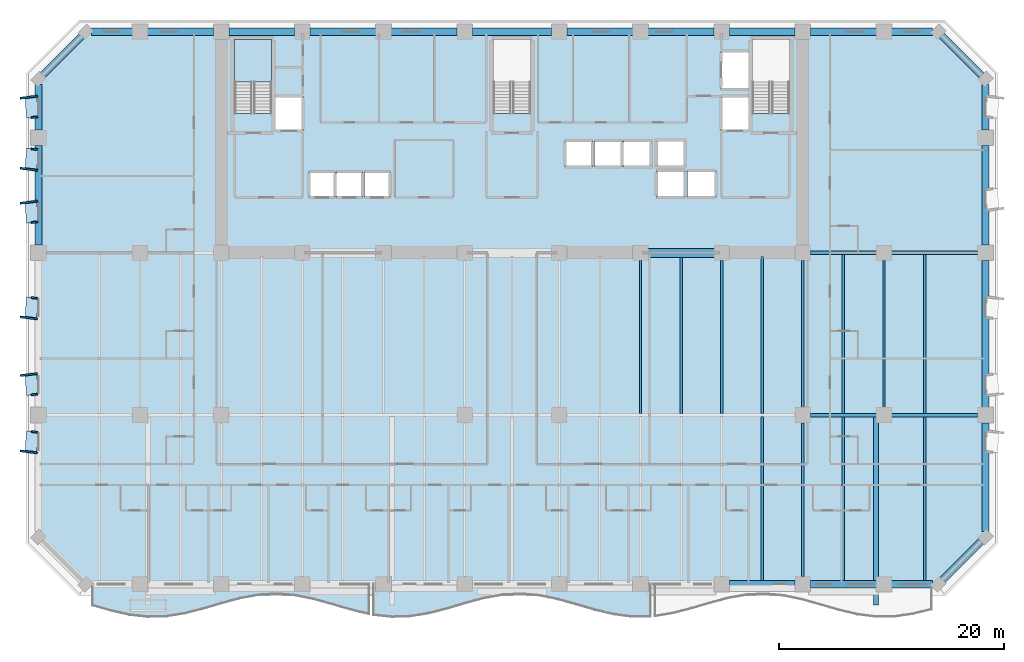
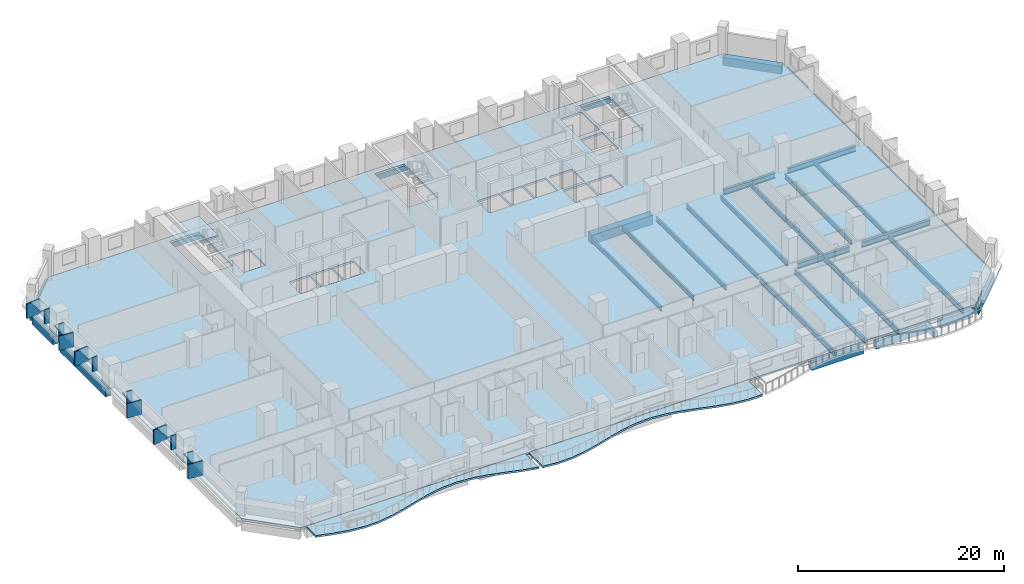
# One storey, part 2 of 16: 41 beams, 18 plates, 4 slabs, 1 element without a shape of its own.
"""IFC4 building model written with IfcOpenShell, lengths in metres."""

from ifc_helpers import new_model, si_unit, direction, frame, origin, origin_2d, place, context, subcontext, project, spatial, polyline, rectangle, i_section, outline, extrude, material, layer, layer_set, material_profile, profile_set, type_object, element, aggregate, save


model = new_model("IFC4")

# Units and contexts
model_context = context("Model", 3, precision=1e-05, world=origin(), true_north=direction((0.0, 1.0)))
body_context = subcontext(model_context, "Body", "Model", "MODEL_VIEW")
ifc_project = project(units=[si_unit("LENGTHUNIT", "METRE"), si_unit("AREAUNIT", "SQUARE_METRE"), si_unit("VOLUMEUNIT", "CUBIC_METRE"), si_unit("PLANEANGLEUNIT", "RADIAN"), si_unit("MASSUNIT", "GRAM", prefix="KILO")], contexts=[model_context])

# Site, building, storey
site_placement = place(None, origin())
site = spatial("IfcSite", under=ifc_project, at=site_placement, CompositionType="ELEMENT")
building_placement = place(site_placement, origin())
building = spatial("IfcBuilding", under=site, at=building_placement, Name="Kaelvorn Grand Hotel", CompositionType="ELEMENT")
storey_placement = place(building_placement, frame((0.0, 0.0, 35.14990234375)))
storey = spatial("IfcBuildingStorey", under=building, at=storey_placement, Name="L06", CompositionType="ELEMENT", Elevation=35.14990234375)

# Beams
ifc_material_1 = material(Name="Steel S355", Category="steel")
ifc_material_profile_1 = material_profile(ifc_material_1, i_section(OverallWidth=0.300048828125, OverallDepth=0.64990234375, WebThickness=0.01611328125, FlangeThickness=0.031005859375, FilletRadius=0.027099609375, at=origin_2d()), Name="HEB 650")
ifc_profile_set_1 = profile_set([ifc_material_profile_1], Name="Steel S355")
beam_type_1 = type_object("IfcBeamType", Name="BM-G-HEB650-S355", PredefinedType="BEAM", material=ifc_profile_set_1)
beam_1_placement = place(storey_placement, frame((68.485107421875, 15.0, -0.56494140625), z_axis=(1.0, 0.0, 0.0), x_axis=(0.0, 1.0, 0.0)))
element("IfcBeam", 1, at=beam_1_placement, inside=storey, type_object=beam_type_1, Name="L06 Primary Spine Steel Girder G-15 06", PredefinedType="BEAM", context=body_context, shape_type="SweptSolid", body=[
    extrude(i_section(OverallWidth=0.300048828125, OverallDepth=0.64990234375, WebThickness=0.01611328125, FlangeThickness=0.031005859375, FilletRadius=0.027099609375, at=origin_2d()), origin(), (0.0, 0.0, 1.0), 5.829833984375),
])
beam_2_placement = place(storey_placement, frame((75.68505859375, 15.0, -0.56494140625), z_axis=(1.0, 0.0, 0.0), x_axis=(0.0, 1.0, 0.0)))
element("IfcBeam", 2, at=beam_2_placement, inside=storey, type_object=beam_type_1, Name="L06 Primary Spine Steel Girder G-15 07", PredefinedType="BEAM", context=body_context, shape_type="SweptSolid", body=[
    extrude(i_section(OverallWidth=0.300048828125, OverallDepth=0.64990234375, WebThickness=0.01611328125, FlangeThickness=0.031005859375, FilletRadius=0.027099609375, at=origin_2d()), origin(), (0.0, 0.0, 1.0), 7.6298828125),
])
beam_3_placement = place(storey_placement, frame((68.485107421875, 29.39990234375, -0.56494140625), z_axis=(1.0, 0.0, 0.0), x_axis=(0.0, 1.0, 0.0)))
element("IfcBeam", 3, at=beam_3_placement, inside=storey, type_object=beam_type_1, Name="L06 East Core Wing Steel Girder G-29E 01", PredefinedType="BEAM", context=body_context, shape_type="SweptSolid", body=[
    extrude(i_section(OverallWidth=0.300048828125, OverallDepth=0.64990234375, WebThickness=0.01611328125, FlangeThickness=0.031005859375, FilletRadius=0.027099609375, at=origin_2d()), origin(), (0.0, 0.0, 1.0), 5.829833984375),
])
beam_4_placement = place(storey_placement, frame((75.68505859375, 29.39990234375, -0.56494140625), z_axis=(1.0, 0.0, 0.0), x_axis=(0.0, 1.0, 0.0)))
element("IfcBeam", 4, at=beam_4_placement, inside=storey, type_object=beam_type_1, Name="L06 East Core Wing Steel Girder G-29E 02", PredefinedType="BEAM", context=body_context, shape_type="SweptSolid", body=[
    extrude(i_section(OverallWidth=0.300048828125, OverallDepth=0.64990234375, WebThickness=0.01611328125, FlangeThickness=0.031005859375, FilletRadius=0.027099609375, at=origin_2d()), origin(), (0.0, 0.0, 1.0), 7.6298828125),
])
ifc_material_profile_2 = material_profile(ifc_material_1, i_section(OverallWidth=0.209228515625, OverallDepth=0.533203125, WebThickness=0.010009765625, FlangeThickness=0.015625, FilletRadius=0.0126953125, at=origin_2d()), Name="UB 533x210x92")
ifc_profile_set_2 = profile_set([ifc_material_profile_2], Name="Steel S355")
beam_type_2 = type_object("IfcBeamType", Name="BM-J-UB533-S355", PredefinedType="JOIST", material=ifc_profile_set_2)
beam_5_placement = place(storey_placement, frame((53.39990234375, 15.135009765625, -0.50634765625), z_axis=(0.0, 1.0, 0.0), x_axis=(-1.0, 0.0, 0.0)))
element("IfcBeam", 5, at=beam_5_placement, inside=storey, type_object=beam_type_2, Name="L06 Composite Floor Joist JM-15", PredefinedType="JOIST", context=body_context, shape_type="SweptSolid", body=[
    extrude(i_section(OverallWidth=0.209228515625, OverallDepth=0.533203125, WebThickness=0.010009765625, FlangeThickness=0.015625, FilletRadius=0.0126953125, at=origin_2d()), origin(), (0.0, 0.0, 1.0), 13.580078125),
])
beam_6_placement = place(storey_placement, frame((57.0, 15.135009765625, -0.50634765625), z_axis=(0.0, 1.0, 0.0), x_axis=(-1.0, 0.0, 0.0)))
element("IfcBeam", 6, at=beam_6_placement, inside=storey, type_object=beam_type_2, Name="L06 Composite Floor Joist JM-16", PredefinedType="JOIST", context=body_context, shape_type="SweptSolid", body=[
    extrude(i_section(OverallWidth=0.209228515625, OverallDepth=0.533203125, WebThickness=0.010009765625, FlangeThickness=0.015625, FilletRadius=0.0126953125, at=origin_2d()), origin(), (0.0, 0.0, 1.0), 13.925048828125),
])
beam_7_placement = place(storey_placement, frame((60.60009765625, 15.135009765625, -0.50634765625), z_axis=(0.0, 1.0, 0.0), x_axis=(-1.0, 0.0, 0.0)))
element("IfcBeam", 7, at=beam_7_placement, inside=storey, type_object=beam_type_2, Name="L06 Composite Floor Joist JM-17", PredefinedType="JOIST", context=body_context, shape_type="SweptSolid", body=[
    extrude(i_section(OverallWidth=0.209228515625, OverallDepth=0.533203125, WebThickness=0.010009765625, FlangeThickness=0.015625, FilletRadius=0.0126953125, at=origin_2d()), origin(), (0.0, 0.0, 1.0), 13.580078125),
])
beam_8_placement = place(storey_placement, frame((64.199951171875, 15.135009765625, -0.50634765625), z_axis=(0.0, 1.0, 0.0), x_axis=(-1.0, 0.0, 0.0)))
element("IfcBeam", 8, at=beam_8_placement, inside=storey, type_object=beam_type_2, Name="L06 Composite Floor Joist JM-18", PredefinedType="JOIST", context=body_context, shape_type="SweptSolid", body=[
    extrude(i_section(OverallWidth=0.209228515625, OverallDepth=0.533203125, WebThickness=0.010009765625, FlangeThickness=0.015625, FilletRadius=0.0126953125, at=origin_2d()), origin(), (0.0, 0.0, 1.0), 13.925048828125),
])
beam_9_placement = place(storey_placement, frame((67.800048828125, 15.68505859375, -0.50634765625), z_axis=(0.0, 1.0, 0.0), x_axis=(-1.0, 0.0, 0.0)))
element("IfcBeam", 9, at=beam_9_placement, inside=storey, type_object=beam_type_2, Name="L06 Composite Floor Joist JM-19", PredefinedType="JOIST", context=body_context, shape_type="SweptSolid", body=[
    extrude(i_section(OverallWidth=0.209228515625, OverallDepth=0.533203125, WebThickness=0.010009765625, FlangeThickness=0.015625, FilletRadius=0.0126953125, at=origin_2d()), origin(), (0.0, 0.0, 1.0), 13.030029296875),
])
beam_10_placement = place(storey_placement, frame((71.39990234375, 15.135009765625, -0.50634765625), z_axis=(0.0, 1.0, 0.0), x_axis=(-1.0, 0.0, 0.0)))
element("IfcBeam", 10, at=beam_10_placement, inside=storey, type_object=beam_type_2, Name="L06 Composite Floor Joist JM-20", PredefinedType="JOIST", context=body_context, shape_type="SweptSolid", body=[
    extrude(i_section(OverallWidth=0.209228515625, OverallDepth=0.533203125, WebThickness=0.010009765625, FlangeThickness=0.015625, FilletRadius=0.0126953125, at=origin_2d()), origin(), (0.0, 0.0, 1.0), 14.1298828125),
])
beam_11_placement = place(storey_placement, frame((75.0, 15.68505859375, -0.50634765625), z_axis=(0.0, 1.0, 0.0), x_axis=(-1.0, 0.0, 0.0)))
element("IfcBeam", 11, at=beam_11_placement, inside=storey, type_object=beam_type_2, Name="L06 Composite Floor Joist JM-21", PredefinedType="JOIST", context=body_context, shape_type="SweptSolid", body=[
    extrude(i_section(OverallWidth=0.209228515625, OverallDepth=0.533203125, WebThickness=0.010009765625, FlangeThickness=0.015625, FilletRadius=0.0126953125, at=origin_2d()), origin(), (0.0, 0.0, 1.0), 13.030029296875),
])
beam_12_placement = place(storey_placement, frame((78.60009765625, 15.135009765625, -0.50634765625), z_axis=(0.0, 1.0, 0.0), x_axis=(-1.0, 0.0, 0.0)))
element("IfcBeam", 12, at=beam_12_placement, inside=storey, type_object=beam_type_2, Name="L06 Composite Floor Joist JM-22", PredefinedType="JOIST", context=body_context, shape_type="SweptSolid", body=[
    extrude(i_section(OverallWidth=0.209228515625, OverallDepth=0.533203125, WebThickness=0.010009765625, FlangeThickness=0.015625, FilletRadius=0.0126953125, at=origin_2d()), origin(), (0.0, 0.0, 1.0), 14.1298828125),
])
ifc_material_profile_3 = material_profile(ifc_material_1, i_section(OverallWidth=0.22900390625, OverallDepth=0.6123046875, WebThickness=0.011962890625, FlangeThickness=0.01953125, FilletRadius=0.0126953125, at=origin_2d()), Name="UB 610x229x125")
ifc_profile_set_3 = profile_set([ifc_material_profile_3], Name="Steel S355")
beam_type_3 = type_object("IfcBeamType", Name="BM-J-UB610-S355", PredefinedType="JOIST", material=ifc_profile_set_3)
beam_13_placement = place(storey_placement, frame((64.199951171875, 0.31005859375, -0.5458984375), z_axis=(0.0, 1.0, 0.0), x_axis=(-1.0, 0.0, 0.0)))
element("IfcBeam", 13, at=beam_13_placement, inside=storey, type_object=beam_type_3, Name="L06 Composite Floor Joist JS-18", PredefinedType="JOIST", context=body_context, shape_type="SweptSolid", body=[
    extrude(i_section(OverallWidth=0.22900390625, OverallDepth=0.6123046875, WebThickness=0.011962890625, FlangeThickness=0.01953125, FilletRadius=0.0126953125, at=origin_2d()), origin(), (0.0, 0.0, 1.0), 14.554931640625),
])
beam_14_placement = place(storey_placement, frame((67.800048828125, 0.68505859375, -0.5458984375), z_axis=(0.0, 1.0, 0.0), x_axis=(-1.0, 0.0, 0.0)))
element("IfcBeam", 14, at=beam_14_placement, inside=storey, type_object=beam_type_3, Name="L06 Composite Floor Joist JS-19", PredefinedType="JOIST", context=body_context, shape_type="SweptSolid", body=[
    extrude(i_section(OverallWidth=0.22900390625, OverallDepth=0.6123046875, WebThickness=0.011962890625, FlangeThickness=0.01953125, FilletRadius=0.0126953125, at=origin_2d()), origin(), (0.0, 0.0, 1.0), 13.6298828125),
])
for number, where, z_axis, x_axis, name in (
    (15, (71.39990234375, 0.31005859375, -0.5458984375), (0.0, 1.0, 0.0), (-1.0, 0.0, 0.0), "L06 Composite Floor Joist JS-20"),
    (16, (78.60009765625, 0.31005859375, -0.5458984375), (0.0, 1.0, 0.0), (-1.0, 0.0, 0.0), "L06 Composite Floor Joist JS-22"),
):
    element("IfcBeam", number, at=place(storey_placement, frame(where, z_axis=z_axis, x_axis=x_axis)), inside=storey, type_object=beam_type_3, Name=name, PredefinedType="JOIST", context=body_context, shape_type="SweptSolid", body=[
        extrude(i_section(OverallWidth=0.22900390625, OverallDepth=0.6123046875, WebThickness=0.011962890625, FlangeThickness=0.01953125, FilletRadius=0.0126953125, at=origin_2d()), origin(), (0.0, 0.0, 1.0), 14.554931640625),
    ])
ifc_material_2 = material(Name="Concrete C60/75", Category="concrete")
ifc_material_profile_4 = material_profile(ifc_material_2, rectangle(XDim=0.800048828125, YDim=1.10009765625, at=origin_2d()), Name="RC LINTEL 800x1100")
ifc_profile_set_4 = profile_set([ifc_material_profile_4], Name="Concrete C60/75")
beam_type_4 = type_object("IfcBeamType", Name="BM-LIN-800x1100-C60", PredefinedType="LINTEL", material=ifc_profile_set_4)
beam_15_placement = place(storey_placement, frame((53.580078125, 29.39990234375, -0.789794921875), z_axis=(1.0, 0.0, 0.0), x_axis=(0.0, 1.0, 0.0)))
element("IfcBeam", 17, at=beam_15_placement, inside=storey, type_object=beam_type_4, Name="L06 Rear-Core Coupling Lintel Beam CB1-03", PredefinedType="LINTEL", context=body_context, shape_type="SweptSolid", body=[
    extrude(rectangle(XDim=0.800048828125, YDim=1.10009765625, at=origin_2d()), origin(), (0.0, 0.0, 1.0), 6.83984375),
])
ifc_material_3 = material(Name="Concrete C40/50", Category="concrete")
ifc_material_profile_5 = material_profile(ifc_material_3, rectangle(XDim=0.449951171875, YDim=0.64990234375, at=origin_2d()), Name="RC RIB 450x650")
ifc_profile_set_5 = profile_set([ifc_material_profile_5], Name="Concrete C40/50")
beam_type_5 = type_object("IfcBeamType", Name="BM-RIB-450x650-C40", PredefinedType="SPANDREL", material=ifc_profile_set_5)
beam_16_placement = place(storey_placement, frame((74.293212890625, -1.85009765625, -0.544921875), z_axis=(0.0, 1.0, 0.0), x_axis=(-1.0, 0.0, 0.0)))
element("IfcBeam", 18, at=beam_16_placement, inside=storey, type_object=beam_type_5, Name="L06 Cantilevered Balcony Back-Span Rib RB1-3", PredefinedType="SPANDREL", context=body_context, shape_type="SweptSolid", body=[
    extrude(rectangle(XDim=0.449951171875, YDim=0.64990234375, at=origin_2d()), origin(), (0.0, 0.0, 1.0), 16.715087890625),
])
ifc_material_profile_6 = material_profile(ifc_material_2, rectangle(XDim=0.64990234375, YDim=0.949951171875, at=origin_2d()), Name="RC SPANDREL 650x950")
ifc_profile_set_6 = profile_set([ifc_material_profile_6], Name="Concrete C60/75")
beam_type_6 = type_object("IfcBeamType", Name="BM-SP-650x950-C60", PredefinedType="SPANDREL", material=ifc_profile_set_6)
beam_17_placement = place(storey_placement, frame((61.284912109375, 0.0, -0.71484375), z_axis=(1.0, 0.0, 0.0), x_axis=(0.0, 1.0, 0.0)))
element("IfcBeam", 19, at=beam_17_placement, inside=storey, type_object=beam_type_6, Name="L06 South Perimeter Spandrel 09", PredefinedType="SPANDREL", context=body_context, shape_type="SweptSolid", body=[
    extrude(rectangle(XDim=0.64990234375, YDim=0.949951171875, at=origin_2d()), origin(), (0.0, 0.0, 1.0), 5.830078125),
])
beam_18_placement = place(storey_placement, frame((68.485107421875, 0.0, -0.71484375), z_axis=(1.0, 0.0, 0.0), x_axis=(0.0, 1.0, 0.0)))
element("IfcBeam", 20, at=beam_18_placement, inside=storey, type_object=beam_type_6, Name="L06 South Perimeter Spandrel 10", PredefinedType="SPANDREL", context=body_context, shape_type="SweptSolid", body=[
    extrude(rectangle(XDim=0.64990234375, YDim=0.949951171875, at=origin_2d()), origin(), (0.0, 0.0, 1.0), 5.829833984375),
])
for number, where, z_axis, x_axis, name in (
    (21, (75.68505859375, 0.0, -0.71484375), (1.0, 0.0, 0.0), (0.0, 1.0, 0.0), "L06 South Perimeter Spandrel 11"),
    (22, (4.68505859375, 49.0, -0.71484375), (1.0, 0.0, 0.0), (0.0, 1.0, 0.0), "L06 North Perimeter Spandrel 01"),
):
    element("IfcBeam", number, at=place(storey_placement, frame(where, z_axis=z_axis, x_axis=x_axis)), inside=storey, type_object=beam_type_6, Name=name, PredefinedType="SPANDREL", context=body_context, shape_type="SweptSolid", body=[
        extrude(rectangle(XDim=0.64990234375, YDim=0.949951171875, at=origin_2d()), origin(), (0.0, 0.0, 1.0), 3.6298828125),
    ])
beam_19_placement = place(storey_placement, frame((9.68505859375, 49.0, -0.71484375), z_axis=(1.0, 0.0, 0.0), x_axis=(0.0, 1.0, 0.0)))
element("IfcBeam", 23, at=beam_19_placement, inside=storey, type_object=beam_type_6, Name="L06 North Perimeter Spandrel 02", PredefinedType="SPANDREL", context=body_context, shape_type="SweptSolid", body=[
    extrude(rectangle(XDim=0.64990234375, YDim=0.949951171875, at=origin_2d()), origin(), (0.0, 0.0, 1.0), 5.829833984375),
])
for number, where, z_axis, x_axis, name in (
    (24, (16.885009765625, 49.0, -0.71484375), (1.0, 0.0, 0.0), (0.0, 1.0, 0.0), "L06 North Perimeter Spandrel 03"),
    (25, (24.0849609375, 49.0, -0.71484375), (1.0, 0.0, 0.0), (0.0, 1.0, 0.0), "L06 North Perimeter Spandrel 04"),
    (26, (31.284912109375, 49.0, -0.71484375), (1.0, 0.0, 0.0), (0.0, 1.0, 0.0), "L06 North Perimeter Spandrel 05"),
):
    element("IfcBeam", number, at=place(storey_placement, frame(where, z_axis=z_axis, x_axis=x_axis)), inside=storey, type_object=beam_type_6, Name=name, PredefinedType="SPANDREL", context=body_context, shape_type="SweptSolid", body=[
        extrude(rectangle(XDim=0.64990234375, YDim=0.949951171875, at=origin_2d()), origin(), (0.0, 0.0, 1.0), 5.830078125),
    ])
beam_20_placement = place(storey_placement, frame((38.485107421875, 49.0, -0.71484375), z_axis=(1.0, 0.0, 0.0), x_axis=(0.0, 1.0, 0.0)))
element("IfcBeam", 27, at=beam_20_placement, inside=storey, type_object=beam_type_6, Name="L06 North Perimeter Spandrel 06", PredefinedType="SPANDREL", context=body_context, shape_type="SweptSolid", body=[
    extrude(rectangle(XDim=0.64990234375, YDim=0.949951171875, at=origin_2d()), origin(), (0.0, 0.0, 1.0), 7.02978515625),
])
for number, where, z_axis, x_axis, name in (
    (28, (46.885009765625, 49.0, -0.71484375), (1.0, 0.0, 0.0), (0.0, 1.0, 0.0), "L06 North Perimeter Spandrel 07"),
    (29, (54.0849609375, 49.0, -0.71484375), (1.0, 0.0, 0.0), (0.0, 1.0, 0.0), "L06 North Perimeter Spandrel 08"),
    (30, (61.284912109375, 49.0, -0.71484375), (1.0, 0.0, 0.0), (0.0, 1.0, 0.0), "L06 North Perimeter Spandrel 09"),
):
    element("IfcBeam", number, at=place(storey_placement, frame(where, z_axis=z_axis, x_axis=x_axis)), inside=storey, type_object=beam_type_6, Name=name, PredefinedType="SPANDREL", context=body_context, shape_type="SweptSolid", body=[
        extrude(rectangle(XDim=0.64990234375, YDim=0.949951171875, at=origin_2d()), origin(), (0.0, 0.0, 1.0), 5.830078125),
    ])
beam_21_placement = place(storey_placement, frame((68.485107421875, 49.0, -0.71484375), z_axis=(1.0, 0.0, 0.0), x_axis=(0.0, 1.0, 0.0)))
element("IfcBeam", 31, at=beam_21_placement, inside=storey, type_object=beam_type_6, Name="L06 North Perimeter Spandrel 10", PredefinedType="SPANDREL", context=body_context, shape_type="SweptSolid", body=[
    extrude(rectangle(XDim=0.64990234375, YDim=0.949951171875, at=origin_2d()), origin(), (0.0, 0.0, 1.0), 5.829833984375),
])
beam_22_placement = place(storey_placement, frame((75.68505859375, 49.0, -0.71484375), z_axis=(1.0, 0.0, 0.0), x_axis=(0.0, 1.0, 0.0)))
element("IfcBeam", 32, at=beam_22_placement, inside=storey, type_object=beam_type_6, Name="L06 North Perimeter Spandrel 11", PredefinedType="SPANDREL", context=body_context, shape_type="SweptSolid", body=[
    extrude(rectangle(XDim=0.64990234375, YDim=0.949951171875, at=origin_2d()), origin(), (0.0, 0.0, 1.0), 3.6298828125),
])
beam_23_placement = place(storey_placement, frame((0.0, 30.0849609375, -0.71484375), z_axis=(0.0, 1.0, 0.0), x_axis=(-1.0, 0.0, 0.0)))
element("IfcBeam", 33, at=beam_23_placement, inside=storey, type_object=beam_type_6, Name="L06 West Perimeter Spandrel 03", PredefinedType="SPANDREL", context=body_context, shape_type="SweptSolid", body=[
    extrude(rectangle(XDim=0.64990234375, YDim=0.949951171875, at=origin_2d()), origin(), (0.0, 0.0, 1.0), 8.830078125),
])
beam_24_placement = place(storey_placement, frame((0.0, 40.284912109375, -0.71484375), z_axis=(0.0, 1.0, 0.0), x_axis=(-1.0, 0.0, 0.0)))
element("IfcBeam", 34, at=beam_24_placement, inside=storey, type_object=beam_type_6, Name="L06 West Perimeter Spandrel 04", PredefinedType="SPANDREL", context=body_context, shape_type="SweptSolid", body=[
    extrude(rectangle(XDim=0.64990234375, YDim=0.949951171875, at=origin_2d()), origin(), (0.0, 0.0, 1.0), 4.030029296875),
])
beam_25_placement = place(storey_placement, frame((84.0, 4.68505859375, -0.71484375), z_axis=(0.0, 1.0, 0.0), x_axis=(-1.0, 0.0, 0.0)))
element("IfcBeam", 35, at=beam_25_placement, inside=storey, type_object=beam_type_6, Name="L06 East Perimeter Spandrel 01", PredefinedType="SPANDREL", context=body_context, shape_type="SweptSolid", body=[
    extrude(rectangle(XDim=0.64990234375, YDim=0.949951171875, at=origin_2d()), origin(), (0.0, 0.0, 1.0), 9.6298828125),
])
beam_26_placement = place(storey_placement, frame((84.0, 15.68505859375, -0.71484375), z_axis=(0.0, 1.0, 0.0), x_axis=(-1.0, 0.0, 0.0)))
element("IfcBeam", 36, at=beam_26_placement, inside=storey, type_object=beam_type_6, Name="L06 East Perimeter Spandrel 02", PredefinedType="SPANDREL", context=body_context, shape_type="SweptSolid", body=[
    extrude(rectangle(XDim=0.64990234375, YDim=0.949951171875, at=origin_2d()), origin(), (0.0, 0.0, 1.0), 13.030029296875),
])
beam_27_placement = place(storey_placement, frame((84.0, 30.0849609375, -0.71484375), z_axis=(0.0, 1.0, 0.0), x_axis=(-1.0, 0.0, 0.0)))
element("IfcBeam", 37, at=beam_27_placement, inside=storey, type_object=beam_type_6, Name="L06 East Perimeter Spandrel 03", PredefinedType="SPANDREL", context=body_context, shape_type="SweptSolid", body=[
    extrude(rectangle(XDim=0.64990234375, YDim=0.949951171875, at=origin_2d()), origin(), (0.0, 0.0, 1.0), 8.830078125),
])
beam_28_placement = place(storey_placement, frame((84.0, 40.284912109375, -0.71484375), z_axis=(0.0, 1.0, 0.0), x_axis=(-1.0, 0.0, 0.0)))
element("IfcBeam", 38, at=beam_28_placement, inside=storey, type_object=beam_type_6, Name="L06 East Perimeter Spandrel 04", PredefinedType="SPANDREL", context=body_context, shape_type="SweptSolid", body=[
    extrude(rectangle(XDim=0.64990234375, YDim=0.949951171875, at=origin_2d()), origin(), (0.0, 0.0, 1.0), 4.030029296875),
])
for number, where, z_axis, x_axis, name in (
    (39, (79.800048828125, 0.0, -0.71484375), (0.707106781187, 0.707106781187, 0.0), (-0.707106781187, 0.707106781187, 0.0), "L06 Chamfer Spandrel Beam 1"),
    (40, (84.0, 44.800048828125, -0.71484375), (-0.707106781187, 0.707106781187, 0.0), (-0.707106781187, -0.707106781187, 0.0), "L06 Chamfer Spandrel Beam 2"),
    (41, (4.199951171875, 49.0, -0.71484375), (-0.707106781187, -0.707106781187, 0.0), (0.707106781187, -0.707106781187, 0.0), "L06 Chamfer Spandrel Beam 3"),
):
    element("IfcBeam", number, at=place(storey_placement, frame(where, z_axis=z_axis, x_axis=x_axis)), inside=storey, type_object=beam_type_6, Name=name, PredefinedType="SPANDREL", context=body_context, shape_type="SweptSolid", body=[
        extrude(rectangle(XDim=0.64990234375, YDim=0.949951171875, at=origin_2d()), origin(), (0.0, 0.0, 1.0), 5.939697265625),
    ])

# Plates
ifc_material_4 = material(Name="Precast concrete C45/55", Category="concrete")
ifc_layer_1 = layer(ifc_material_4, 0.159912109375)
ifc_layer_set_1 = layer_set([ifc_layer_1], Name="Precast concrete C45/55")
plate_type_1 = type_object("IfcPlateType", Name="PL-FRAME-DEEP-1550", PredefinedType="USERDEFINED", material=ifc_layer_set_1)
for number, where, z_axis, x_axis, name in (
    (42, (-0.864990234375, 11.735107421875, 0.68994140625), (0.0, 0.0, 1.0), (0.121869343405, 0.992546151641, 0.0), "L06 Tilted Precast Window Frame Fin L-W01"),
    (43, (-0.864990234375, 18.60009765625, 0.68994140625), (0.0, 0.0, 1.0), (-0.121869343405, 0.992546151641, 0.0), "L06 Tilted Precast Window Frame Fin R-W02"),
    (44, (-0.864990234375, 23.6201171875, 0.68994140625), (0.0, 0.0, 1.0), (0.121869343405, 0.992546151641, 0.0), "L06 Tilted Precast Window Frame Fin L-W03"),
    (45, (-0.864990234375, 33.889892578125, 0.68994140625), (0.0, 0.0, 1.0), (-0.121869343405, 0.992546151641, 0.0), "L06 Tilted Precast Window Frame Fin R-W04"),
    (46, (-0.864990234375, 36.81005859375, 0.68994140625), (0.0, 0.0, 1.0), (0.121869343405, 0.992546151641, 0.0), "L06 Tilted Precast Window Frame Fin L-W05"),
    (47, (-0.864990234375, 43.205078125, 0.68994140625), (0.0, 0.0, 1.0), (-0.121869343405, 0.992546151641, 0.0), "L06 Tilted Precast Window Frame Fin R-W06"),
):
    element("IfcPlate", number, at=place(storey_placement, frame(where, z_axis=z_axis, x_axis=x_axis)), inside=storey, type_object=plate_type_1, Name=name, ObjectType="FLANGE_PLATE", PredefinedType="USERDEFINED", context=body_context, shape_type="SweptSolid", body=[
        extrude(rectangle(XDim=0.159912109375, YDim=1.550048828125, at=origin_2d()), origin(), (0.0, 0.0, 1.0), 1.719970703125),
    ])
ifc_layer_2 = layer(ifc_material_4, 0.159912109375)
ifc_layer_set_2 = layer_set([ifc_layer_2], Name="Precast concrete C45/55")
plate_type_2 = type_object("IfcPlateType", Name="PL-FRAME-HEAD-1050", PredefinedType="USERDEFINED", material=ifc_layer_set_2)
for number, where, z_axis, x_axis, name in (
    (48, (-0.614990234375, 12.625, 2.25), (0.0, 0.0, 1.0), (0.054950179912, 0.998489097451, 0.0), "L06 Precast Window Frame Head Hood H-W01"),
    (49, (-0.614990234375, 17.7099609375, 2.25), (0.0, 0.0, 1.0), (-0.054950179912, 0.998489097451, 0.0), "L06 Precast Window Frame Head Hood H-W02"),
    (50, (-0.614990234375, 24.510009765625, 2.25), (0.0, 0.0, 1.0), (0.054950179912, 0.998489097451, 0.0), "L06 Precast Window Frame Head Hood H-W03"),
    (51, (-0.614990234375, 33.0, 2.25), (0.0, 0.0, 1.0), (-0.054950179912, 0.998489097451, 0.0), "L06 Precast Window Frame Head Hood H-W04"),
    (52, (-0.614990234375, 37.699951171875, 2.25), (0.0, 0.0, 1.0), (0.054950179912, 0.998489097451, 0.0), "L06 Precast Window Frame Head Hood H-W05"),
    (53, (-0.614990234375, 42.31494140625, 2.25), (0.0, 0.0, 1.0), (-0.054950179912, 0.998489097451, 0.0), "L06 Precast Window Frame Head Hood H-W06"),
):
    element("IfcPlate", number, at=place(storey_placement, frame(where, z_axis=z_axis, x_axis=x_axis)), inside=storey, type_object=plate_type_2, Name=name, ObjectType="FLANGE_PLATE", PredefinedType="USERDEFINED", context=body_context, shape_type="SweptSolid", body=[
        extrude(rectangle(XDim=1.860107421875, YDim=1.050048828125, at=origin_2d()), origin(), (0.0, 0.0, 1.0), 0.159912109375),
    ])
ifc_layer_3 = layer(ifc_material_4, 0.159912109375)
ifc_layer_set_3 = layer_set([ifc_layer_3], Name="Precast concrete C45/55")
plate_type_3 = type_object("IfcPlateType", Name="PL-FRAME-SHAL-550", PredefinedType="USERDEFINED", material=ifc_layer_set_3)
for number, where, z_axis, x_axis, name in (
    (54, (-0.364990234375, 13.514892578125, 0.68994140625), (0.0, 0.0, 1.0), (0.121869343405, 0.992546151641, 0.0), "L06 Tilted Precast Window Frame Fin R-W01"),
    (55, (-0.364990234375, 16.820068359375, 0.68994140625), (0.0, 0.0, 1.0), (-0.121869343405, 0.992546151641, 0.0), "L06 Tilted Precast Window Frame Fin L-W02"),
    (56, (-0.364990234375, 25.39990234375, 0.68994140625), (0.0, 0.0, 1.0), (0.121869343405, 0.992546151641, 0.0), "L06 Tilted Precast Window Frame Fin R-W03"),
    (57, (-0.364990234375, 32.110107421875, 0.68994140625), (0.0, 0.0, 1.0), (-0.121869343405, 0.992546151641, 0.0), "L06 Tilted Precast Window Frame Fin L-W04"),
    (58, (-0.364990234375, 38.590087890625, 0.68994140625), (0.0, 0.0, 1.0), (0.121869343405, 0.992546151641, 0.0), "L06 Tilted Precast Window Frame Fin R-W05"),
    (59, (-0.364990234375, 41.425048828125, 0.68994140625), (0.0, 0.0, 1.0), (-0.121869343405, 0.992546151641, 0.0), "L06 Tilted Precast Window Frame Fin L-W06"),
):
    element("IfcPlate", number, at=place(storey_placement, frame(where, z_axis=z_axis, x_axis=x_axis)), inside=storey, type_object=plate_type_3, Name=name, ObjectType="FLANGE_PLATE", PredefinedType="USERDEFINED", context=body_context, shape_type="SweptSolid", body=[
        extrude(rectangle(XDim=0.159912109375, YDim=0.550048828125, at=origin_2d()), origin(), (0.0, 0.0, 1.0), 1.719970703125),
    ])

# Slabs
ifc_layer_4 = layer(ifc_material_3, 0.219970703125)
ifc_layer_set_4 = layer_set([ifc_layer_4], Name="Concrete C40/50")
slab_type_1 = type_object("IfcSlabType", Name="SLB-BALC-220-C40", PredefinedType="FLOOR", material=ifc_layer_set_4)
slab_1_placement = place(storey_placement, frame((0.0, 0.0, -0.219970703125)))
element("IfcSlab", 60, at=slab_1_placement, inside=storey, type_object=slab_type_1, Name="L06 Scalloped Wave Balcony Slab 1", PredefinedType="FLOOR", context=body_context, shape_type="SweptSolid", body=[
    extrude(outline(polyline([(4.800048828125, -1.875), (6.435546875, -2.344482421875), (8.071044921875, -2.709716796875), (9.706787109375, -2.889404296875), (11.34228515625, -2.843994140625), (12.977783203125, -2.583251953125), (14.61328125, -2.165283203125), (16.248779296875, -1.6826171875), (17.884521484375, -1.242919921875), (19.52001953125, -0.943603515625), (21.155517578125, -0.85107421875), (22.791015625, -0.986083984375), (24.4267578125, -1.318359375), (26.062255859375, -1.7744140625), (27.69775390625, -2.2529296875), (29.333251953125, -2.647216796875), (29.333251953125, 0.0), (4.800048828125, 0.0), (4.800048828125, -1.875)])), origin(), (0.0, 0.0, 1.0), 0.219970703125),
])
slab_2_placement = place(storey_placement, frame((0.0, 0.0, -0.219970703125)))
element("IfcSlab", 61, at=slab_2_placement, inside=storey, type_object=slab_type_1, Name="L06 Scalloped Wave Balcony Slab 2", PredefinedType="FLOOR", context=body_context, shape_type="SweptSolid", body=[
    extrude(outline(polyline([(29.7333984375, -2.72021484375), (31.368896484375, -2.891845703125), (33.00439453125, -2.837646484375), (34.639892578125, -2.569580078125), (36.275634765625, -2.147216796875), (37.9111328125, -1.66455078125), (39.546630859375, -1.228515625), (41.18212890625, -0.93603515625), (42.81787109375, -0.85205078125), (44.453369140625, -0.995361328125), (46.0888671875, -1.333984375), (47.724365234375, -1.79296875), (49.360107421875, -2.27001953125), (50.99560546875, -2.659423828125), (52.631103515625, -2.87451171875), (54.2666015625, -2.86767578125), (54.2666015625, 0.0), (29.7333984375, 0.0), (29.7333984375, -2.72021484375)])), origin(), (0.0, 0.0, 1.0), 0.219970703125),
])
ifc_layer_5 = layer(ifc_material_3, 0.239990234375)
ifc_layer_set_5 = layer_set([ifc_layer_5], Name="Concrete C40/50")
slab_type_2 = type_object("IfcSlabType", Name="SLB-FLR-240-C40", PredefinedType="FLOOR", material=ifc_layer_set_5)
slab_3_placement = place(storey_placement, frame((0.0, 0.0, -0.239990234375)))
element("IfcSlab", 62, at=slab_3_placement, inside=storey, type_object=slab_type_2, Name="L06 Indoor Suspended Floor Slab", PredefinedType="FLOOR", context=body_context, shape_type="SweptSolid", body=[
    extrude(outline(polyline([(4.199951171875, 0.0), (79.800048828125, 0.0), (84.0, 4.199951171875), (84.0, 44.800048828125), (79.800048828125, 49.0), (4.199951171875, 49.0), (0.0, 44.800048828125), (0.0, 4.199951171875), (4.199951171875, 0.0)]), holes=[polyline([(17.39990234375, 41.760009765625), (17.39990234375, 48.300048828125), (20.679931640625, 48.300048828125), (20.679931640625, 41.760009765625), (17.39990234375, 41.760009765625)]), polyline([(40.360107421875, 41.760009765625), (40.360107421875, 48.300048828125), (43.639892578125, 48.300048828125), (43.639892578125, 41.760009765625), (40.360107421875, 41.760009765625)]), polyline([(63.320068359375, 41.760009765625), (63.320068359375, 48.300048828125), (66.60009765625, 48.300048828125), (66.60009765625, 41.760009765625), (63.320068359375, 41.760009765625)]), polyline([(24.0, 34.300048828125), (24.0, 36.60009765625), (26.300048828125, 36.60009765625), (26.300048828125, 34.300048828125), (24.0, 34.300048828125)]), polyline([(26.449951171875, 34.300048828125), (26.449951171875, 36.60009765625), (28.75, 36.60009765625), (28.75, 34.300048828125), (26.449951171875, 34.300048828125)]), polyline([(28.89990234375, 34.300048828125), (28.89990234375, 36.60009765625), (31.199951171875, 36.60009765625), (31.199951171875, 34.300048828125), (28.89990234375, 34.300048828125)]), polyline([(46.699951171875, 37.0), (46.699951171875, 39.35009765625), (49.14990234375, 39.35009765625), (49.14990234375, 37.0), (46.699951171875, 37.0)]), polyline([(49.300048828125, 37.0), (49.300048828125, 39.35009765625), (51.75, 39.35009765625), (51.75, 37.0), (49.300048828125, 37.0)]), polyline([(51.89990234375, 37.0), (51.89990234375, 39.35009765625), (54.35009765625, 39.35009765625), (54.35009765625, 37.0), (51.89990234375, 37.0)]), polyline([(54.800048828125, 34.300048828125), (54.800048828125, 36.699951171875), (57.35009765625, 36.699951171875), (57.35009765625, 34.300048828125), (54.800048828125, 34.300048828125)]), polyline([(57.550048828125, 34.300048828125), (57.550048828125, 36.699951171875), (60.10009765625, 36.699951171875), (60.10009765625, 34.300048828125), (57.550048828125, 34.300048828125)]), polyline([(54.800048828125, 37.0), (54.800048828125, 39.39990234375), (57.35009765625, 39.39990234375), (57.35009765625, 37.0), (54.800048828125, 37.0)]), polyline([(21.0, 40.199951171875), (21.0, 43.300048828125), (23.449951171875, 43.300048828125), (23.449951171875, 40.199951171875), (21.0, 40.199951171875)]), polyline([(60.550048828125, 40.199951171875), (60.550048828125, 43.300048828125), (63.0, 43.300048828125), (63.0, 40.199951171875), (60.550048828125, 40.199951171875)]), polyline([(60.550048828125, 43.89990234375), (60.550048828125, 47.300048828125), (63.0, 47.300048828125), (63.0, 43.89990234375), (60.550048828125, 43.89990234375)])]), origin(), (0.0, 0.0, 1.0), 0.239990234375),
])

# Stair, slab
stair_type = type_object("IfcStairType", Name="STR-DOG-1560-R06", PredefinedType="HALF_TURN_STAIR", material=ifc_material_3)
stair_placement = place(storey_placement, origin())
stair = element("IfcStair", 63, at=stair_placement, inside=storey, type_object=stair_type, Name="L06 West Core Exit Stair ST1", PredefinedType="HALF_TURN_STAIR")
ifc_layer_6 = layer(ifc_material_3, 0.199951171875)
ifc_layer_set_6 = layer_set([ifc_layer_6], Name="Concrete C40/50")
slab_type_3 = type_object("IfcSlabType", Name="SLB-LAND-200-C40", PredefinedType="LANDING", material=ifc_layer_set_6)
slab_4_placement = place(storey_placement, frame((0.0, 0.0, 1.675048828125)))
slab_4 = element("IfcSlab", 64, at=slab_4_placement, type_object=slab_type_3, Name="ST1 landing 1", PredefinedType="LANDING", context=body_context, shape_type="SweptSolid", body=[
    extrude(outline(polyline([(20.679931640625, 44.56005859375), (20.679931640625, 48.300048828125), (17.39990234375, 48.300048828125), (17.39990234375, 44.56005859375), (20.679931640625, 44.56005859375)])), origin(), (0.0, 0.0, 1.0), 0.199951171875),
])
aggregate(stair, [slab_4])

save(model, "model.ifc")
